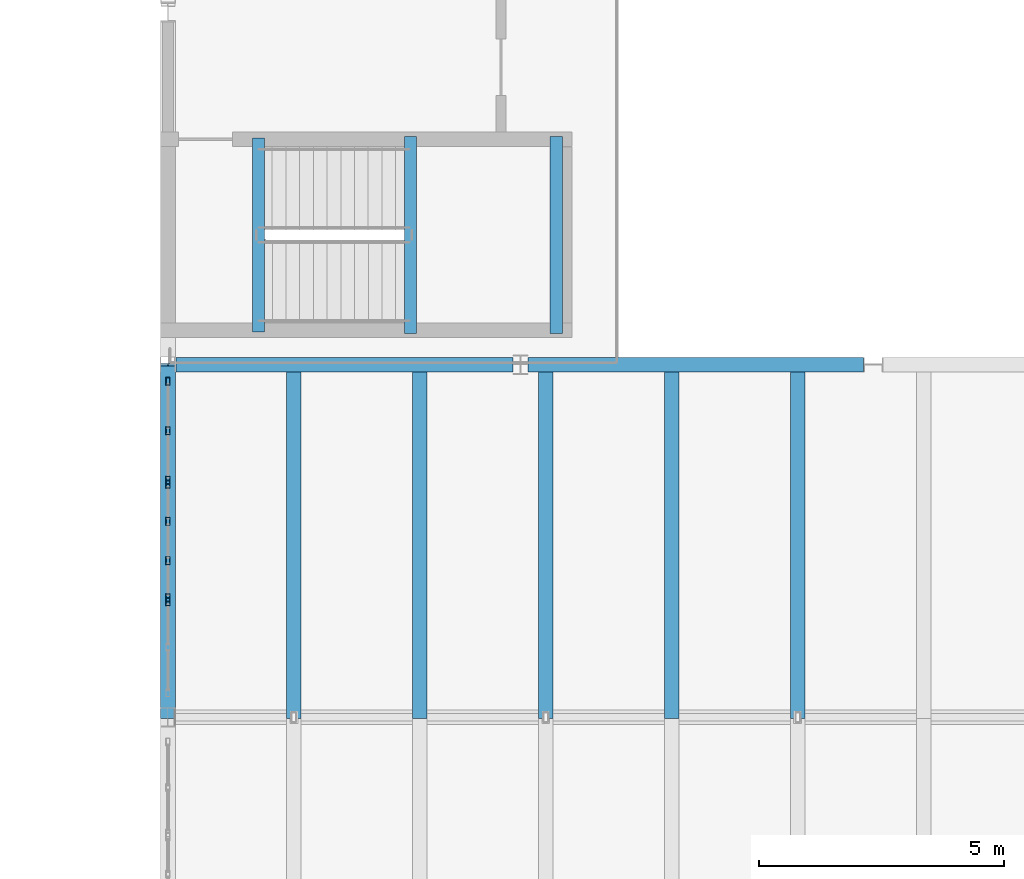
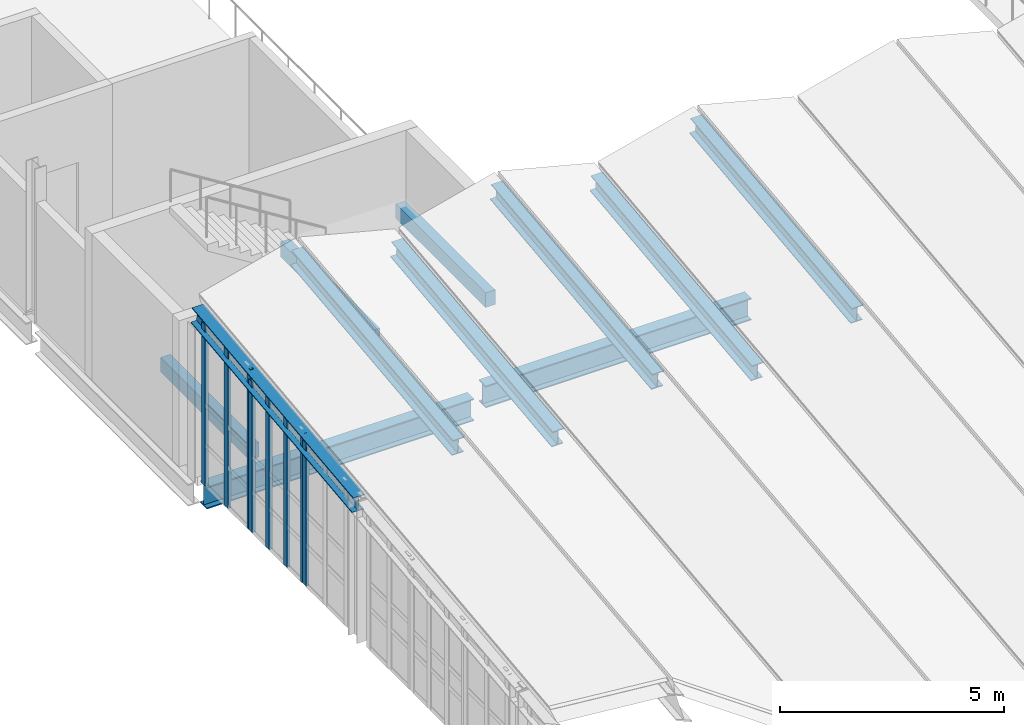
# One storey, part 16 of 48: 11 beams, 8 members, 3 elements without a shape of their own.
"""IFC4 building model written with IfcOpenShell, lengths in metres."""

from ifc_helpers import new_model, si_unit, direction, frame, origin, origin_2d, place, context, subcontext, project, spatial, rectangle, hollow_rectangle, i_section, extrude, material, layer, layer_set, material_profile, profile_set, type_object, element, aggregate, save


model = new_model("IFC4")

# Units and contexts
model_context = context("Model", 3, precision=1e-05, world=origin(), true_north=direction((0.0, 1.0)))
body_context = subcontext(model_context, "Body", "Model", "MODEL_VIEW")
ifc_project = project(units=[si_unit("LENGTHUNIT", "METRE"), si_unit("AREAUNIT", "SQUARE_METRE"), si_unit("VOLUMEUNIT", "CUBIC_METRE"), si_unit("PLANEANGLEUNIT", "RADIAN"), si_unit("MASSUNIT", "GRAM", prefix="KILO"), si_unit("THERMODYNAMICTEMPERATUREUNIT", "KELVIN"), si_unit("POWERUNIT", "WATT")], contexts=[model_context])

# Site, building, storey
site_placement = place(None, origin())
site = spatial("IfcSite", under=ifc_project, at=site_placement, CompositionType="ELEMENT")
building_placement = place(site_placement, origin())
building = spatial("IfcBuilding", under=site, at=building_placement, Name="Kaldorven Railside Theatre", CompositionType="ELEMENT")
storey_placement = place(building_placement, frame((0.0, 0.0, 18.89990234375)))
storey = spatial("IfcBuildingStorey", under=building, at=storey_placement, Name="L04", CompositionType="ELEMENT", Elevation=18.89990234375)

# Beams
ifc_material_1 = material(Name="Steel S355", Category="steel")
ifc_material_profile_1 = material_profile(ifc_material_1, i_section(OverallWidth=0.300048828125, OverallDepth=0.449951171875, WebThickness=0.013916015625, FlangeThickness=0.02587890625, at=origin_2d()), Name="HEB 450")
ifc_profile_set_1 = profile_set([ifc_material_profile_1], Name="Steel S355")
beam_type_1 = type_object("IfcBeamType", Name="BM-HEB450", PredefinedType="BEAM", material=ifc_profile_set_1)
for number, where, z_axis, x_axis, name in (
    (1, (87.199951171875, 76.800048828125, 3.644287109375), (0.0, 0.993575928723, 0.11316745938), (-1.0, 0.0, 0.0), "V1 Folded-Plate Valley Girder VB-011"),
    (2, (89.771484375, 76.800048828125, 4.309326171875), (0.0, 0.993575928723, 0.11316745938), (-1.0, 0.0, 0.0), "V1 Folded-Plate Ridge Girder RB-017"),
    (3, (92.343017578125, 76.800048828125, 3.644287109375), (0.0, 0.993575928723, 0.11316745938), (-1.0, 0.0, 0.0), "V1 Folded-Plate Valley Girder VB-023"),
    (4, (94.914306640625, 76.800048828125, 4.309326171875), (0.0, 0.993575928723, 0.11316745938), (-1.0, 0.0, 0.0), "V1 Folded-Plate Ridge Girder RB-029"),
    (5, (97.485595703125, 76.800048828125, 3.644287109375), (0.0, 0.993575928723, 0.11316745938), (-1.0, 0.0, 0.0), "V1 Folded-Plate Valley Girder VB-035"),
    (6, (100.05712890625, 76.800048828125, 4.309326171875), (0.0, 0.993575928723, 0.11316745938), (-1.0, 0.0, 0.0), "V1 Folded-Plate Ridge Girder RB-041"),
):
    element("IfcBeam", number, at=place(storey_placement, frame(where, z_axis=z_axis, x_axis=x_axis)), inside=storey, type_object=beam_type_1, Name=name, PredefinedType="BEAM", context=body_context, shape_type="SweptSolid", body=[
        extrude(i_section(OverallWidth=0.300048828125, OverallDepth=0.449951171875, WebThickness=0.013916015625, FlangeThickness=0.02587890625, at=origin_2d()), origin(), (0.0, 0.0, 1.0), 7.24658203125),
    ])
ifc_material_profile_2 = material_profile(ifc_material_1, i_section(OverallWidth=0.300048828125, OverallDepth=0.60009765625, WebThickness=0.015380859375, FlangeThickness=0.030029296875, at=origin_2d()), Name="HEB 600")
ifc_profile_set_2 = profile_set([ifc_material_profile_2], Name="Steel S355")
beam_type_2 = type_object("IfcBeamType", Name="BM-HEB600", PredefinedType="BEAM", material=ifc_profile_set_2)
beam_1_placement = place(storey_placement, frame((87.3603515625, 84.0, -0.539794921875), z_axis=(1.0, 0.0, 0.0), x_axis=(0.0, 1.0, 0.0)))
element("IfcBeam", 7, at=beam_1_placement, inside=storey, type_object=beam_type_2, Name="L04 Girder BGX-L04-087-084", PredefinedType="BEAM", context=body_context, shape_type="SweptSolid", body=[
    extrude(i_section(OverallWidth=0.300048828125, OverallDepth=0.60009765625, WebThickness=0.015380859375, FlangeThickness=0.030029296875, at=origin_2d()), origin(), (0.0, 0.0, 1.0), 6.8896484375),
])
beam_2_placement = place(storey_placement, frame((94.550048828125, 84.0, -0.2998046875), z_axis=(1.0, 0.0, 0.0), x_axis=(0.0, 1.0, 0.0)))
element("IfcBeam", 8, at=beam_2_placement, inside=storey, type_object=beam_type_2, Name="L04 Girder BGX-L04-094-084", PredefinedType="BEAM", context=body_context, shape_type="SweptSolid", body=[
    extrude(i_section(OverallWidth=0.300048828125, OverallDepth=0.60009765625, WebThickness=0.015380859375, FlangeThickness=0.030029296875, at=origin_2d()), origin(), (0.0, 0.0, 1.0), 6.849853515625),
])
ifc_material_2 = material(Name="Concrete C40/50", Category="concrete")
ifc_material_profile_3 = material_profile(ifc_material_2, rectangle(XDim=0.25, YDim=0.39990234375, at=origin_2d()), Name="RC 250x400")
ifc_profile_set_3 = profile_set([ifc_material_profile_3], Name="Concrete C40/50")
beam_type_3 = type_object("IfcBeamType", Name="BM-RC250x400", PredefinedType="LINTEL", material=ifc_profile_set_3)
beam_3_placement = place(storey_placement, frame((89.050048828125, 84.669921875, -0.344970703125), z_axis=(0.0, 1.0, 0.0), x_axis=(-1.0, 0.0, 0.0)))
element("IfcBeam", 9, at=beam_3_placement, inside=storey, type_object=beam_type_3, Name="Stair ST-05 L04 Landing Trimmer Beam", PredefinedType="LINTEL", context=body_context, shape_type="SweptSolid", body=[
    extrude(rectangle(XDim=0.25, YDim=0.39990234375, at=origin_2d()), origin(), (0.0, 0.0, 1.0), 3.9599609375),
])
for number, where, z_axis, x_axis, name in (
    (10, (92.155029296875, 84.639892578125, 1.7001953125), (0.0, 1.0, 0.0), (-1.0, 0.0, 0.0), "Stair ST-05 L04 Half-Landing Bearer"),
    (11, (95.1298828125, 84.639892578125, 1.7001953125), (0.0, 1.0, 0.0), (-1.0, 0.0, 0.0), "Stair ST-05 L04 Half-Landing Bearer"),
):
    element("IfcBeam", number, at=place(storey_placement, frame(where, z_axis=z_axis, x_axis=x_axis)), inside=storey, type_object=beam_type_3, Name=name, PredefinedType="LINTEL", context=body_context, shape_type="SweptSolid", body=[
        extrude(rectangle(XDim=0.25, YDim=0.39990234375, at=origin_2d()), origin(), (0.0, 0.0, 1.0), 4.02001953125),
    ])

# Curtain wall, member
ifc_material_3 = material(Name="Low-E laminated solar-control glass", Category="glass")
ifc_layer_1 = layer(ifc_material_3, 0.159912109375, Name="Low-E laminated solar-control glass")
ifc_layer_set_1 = layer_set([ifc_layer_1], Name="Low-E laminated solar-control glass")
curtain_wall_type_1 = type_object("IfcCurtainWallType", Name="CWT-38", PredefinedType="USERDEFINED", material=ifc_layer_set_1)
curtain_wall_1_placement = place(storey_placement, origin())
curtain_wall_1 = element("IfcCurtainWall", 12, at=curtain_wall_1_placement, inside=storey, type_object=curtain_wall_type_1, Name="Main Theatre West Eave Clerestory CWG-014", ObjectType="FLUTED GLAZING", PredefinedType="USERDEFINED")
ifc_material_4 = material(Name="Anodised bronze aluminium", Category="aluminium")
ifc_material_profile_4 = material_profile(ifc_material_4, hollow_rectangle(XDim=0.080078125, YDim=0.159912109375, WallThickness=0.00634765625, at=origin_2d()), Name="RHS 160x80x6.3")
ifc_profile_set_4 = profile_set([ifc_material_profile_4], Name="Anodised bronze aluminium")
member_type = type_object("IfcMemberType", Name="CWM-160", PredefinedType="MULLION", material=ifc_profile_set_4)
member_1_placement = place(storey_placement, frame((87.199951171875, 79.159912109375, 0.02001953125), z_axis=(0.0, 0.0, 1.0), x_axis=(-1.0, 0.0, 0.0)))
member_1 = element("IfcMember", 13, at=member_1_placement, type_object=member_type, Name="CWG-014 mullion 3", PredefinedType="MULLION", context=body_context, shape_type="SweptSolid", body=[
    extrude(hollow_rectangle(XDim=0.080078125, YDim=0.159912109375, WallThickness=0.00634765625, at=origin_2d()), origin(), (0.0, 0.0, 1.0), 3.900146484375),
])
aggregate(curtain_wall_1, [member_1])

# Curtain wall, members
ifc_layer_2 = layer(ifc_material_3, 0.159912109375, Name="Low-E laminated solar-control glass")
ifc_layer_set_2 = layer_set([ifc_layer_2], Name="Low-E laminated solar-control glass")
curtain_wall_type_2 = type_object("IfcCurtainWallType", Name="CWT-39", PredefinedType="USERDEFINED", material=ifc_layer_set_2)
curtain_wall_2_placement = place(storey_placement, origin())
curtain_wall_2 = element("IfcCurtainWall", 14, at=curtain_wall_2_placement, inside=storey, type_object=curtain_wall_type_2, Name="Main Theatre West Eave Clerestory CWG-015", ObjectType="FLUTED GLAZING", PredefinedType="USERDEFINED")
member_2_placement = place(storey_placement, frame((87.199951171875, 79.239990234375, 0.02001953125), z_axis=(0.0, 0.0, 1.0), x_axis=(-1.0, 0.0, 0.0)))
member_2 = element("IfcMember", 15, at=member_2_placement, type_object=member_type, Name="CWG-015 mullion 1", PredefinedType="MULLION", context=body_context, shape_type="SweptSolid", body=[
    extrude(hollow_rectangle(XDim=0.080078125, YDim=0.159912109375, WallThickness=0.00634765625, at=origin_2d()), origin(), (0.0, 0.0, 1.0), 4.1201171875),
])
member_3_placement = place(storey_placement, frame((87.199951171875, 80.0, 0.02001953125), z_axis=(0.0, 0.0, 1.0), x_axis=(-1.0, 0.0, 0.0)))
member_3 = element("IfcMember", 16, at=member_3_placement, type_object=member_type, Name="CWG-015 mullion 2", PredefinedType="MULLION", context=body_context, shape_type="SweptSolid", body=[
    extrude(hollow_rectangle(XDim=0.080078125, YDim=0.159912109375, WallThickness=0.00634765625, at=origin_2d()), origin(), (0.0, 0.0, 1.0), 4.1201171875),
])
member_4_placement = place(storey_placement, frame((87.199951171875, 80.800048828125, 0.02001953125), z_axis=(0.0, 0.0, 1.0), x_axis=(-1.0, 0.0, 0.0)))
member_4 = element("IfcMember", 17, at=member_4_placement, type_object=member_type, Name="CWG-015 mullion 3", PredefinedType="MULLION", context=body_context, shape_type="SweptSolid", body=[
    extrude(hollow_rectangle(XDim=0.080078125, YDim=0.159912109375, WallThickness=0.00634765625, at=origin_2d()), origin(), (0.0, 0.0, 1.0), 4.1201171875),
])
member_5_placement = place(storey_placement, frame((87.199951171875, 81.56005859375, 0.02001953125), z_axis=(0.0, 0.0, 1.0), x_axis=(-1.0, 0.0, 0.0)))
member_5 = element("IfcMember", 18, at=member_5_placement, type_object=member_type, Name="CWG-015 mullion 4", PredefinedType="MULLION", context=body_context, shape_type="SweptSolid", body=[
    extrude(hollow_rectangle(XDim=0.080078125, YDim=0.159912109375, WallThickness=0.00634765625, at=origin_2d()), origin(), (0.0, 0.0, 1.0), 4.1201171875),
])
aggregate(curtain_wall_2, [member_2, member_3, member_4, member_5])

ifc_layer_3 = layer(ifc_material_3, 0.159912109375, Name="Low-E laminated solar-control glass")
ifc_layer_set_3 = layer_set([ifc_layer_3], Name="Low-E laminated solar-control glass")
curtain_wall_type_3 = type_object("IfcCurtainWallType", Name="CWT-40", PredefinedType="USERDEFINED", material=ifc_layer_set_3)
curtain_wall_3_placement = place(storey_placement, origin())
curtain_wall_3 = element("IfcCurtainWall", 19, at=curtain_wall_3_placement, inside=storey, type_object=curtain_wall_type_3, Name="Main Theatre West Eave Clerestory CWG-016", ObjectType="FLUTED GLAZING", PredefinedType="USERDEFINED")
member_6_placement = place(storey_placement, frame((87.199951171875, 81.639892578125, 0.02001953125), z_axis=(0.0, 0.0, 1.0), x_axis=(-1.0, 0.0, 0.0)))
member_6 = element("IfcMember", 20, at=member_6_placement, type_object=member_type, Name="CWG-016 mullion 1", PredefinedType="MULLION", context=body_context, shape_type="SweptSolid", body=[
    extrude(hollow_rectangle(XDim=0.080078125, YDim=0.159912109375, WallThickness=0.00634765625, at=origin_2d()), origin(), (0.0, 0.0, 1.0), 4.400146484375),
])
member_7_placement = place(storey_placement, frame((87.199951171875, 82.64990234375, 0.02001953125), z_axis=(0.0, 0.0, 1.0), x_axis=(-1.0, 0.0, 0.0)))
member_7 = element("IfcMember", 21, at=member_7_placement, type_object=member_type, Name="CWG-016 mullion 2", PredefinedType="MULLION", context=body_context, shape_type="SweptSolid", body=[
    extrude(hollow_rectangle(XDim=0.080078125, YDim=0.159912109375, WallThickness=0.00634765625, at=origin_2d()), origin(), (0.0, 0.0, 1.0), 4.400146484375),
])
member_8_placement = place(storey_placement, frame((87.199951171875, 83.65966796875, 0.02001953125), z_axis=(0.0, 0.0, 1.0), x_axis=(-1.0, 0.0, 0.0)))
member_8 = element("IfcMember", 22, at=member_8_placement, type_object=member_type, Name="CWG-016 mullion 3", PredefinedType="MULLION", context=body_context, shape_type="SweptSolid", body=[
    extrude(hollow_rectangle(XDim=0.080078125, YDim=0.159912109375, WallThickness=0.00634765625, at=origin_2d()), origin(), (0.0, 0.0, 1.0), 4.400146484375),
])
aggregate(curtain_wall_3, [member_6, member_7, member_8])

save(model, "model.ifc")
